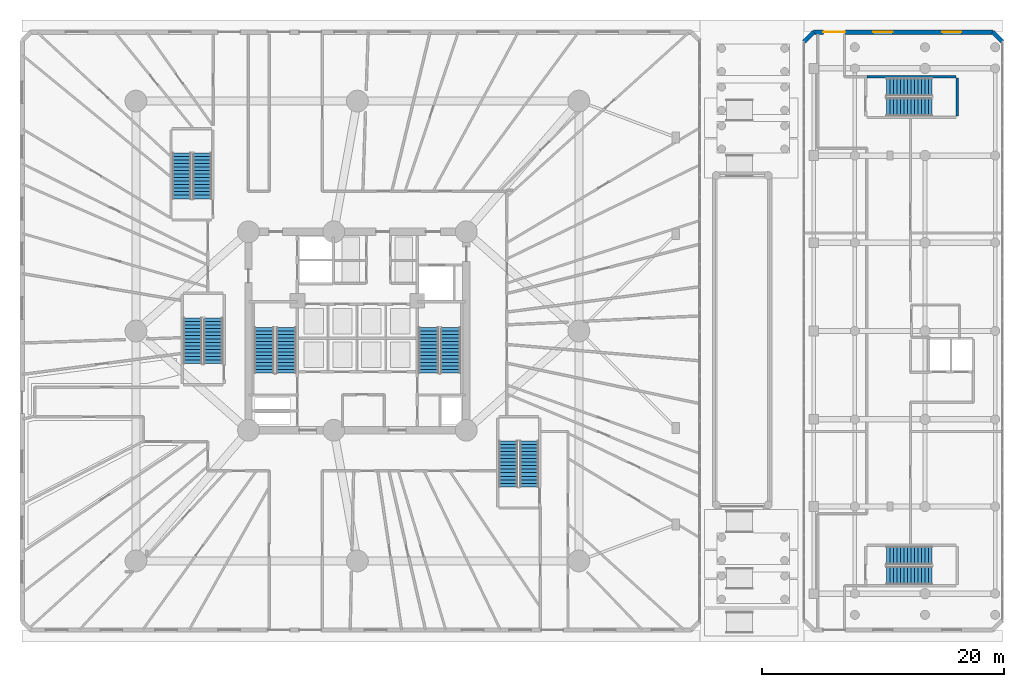
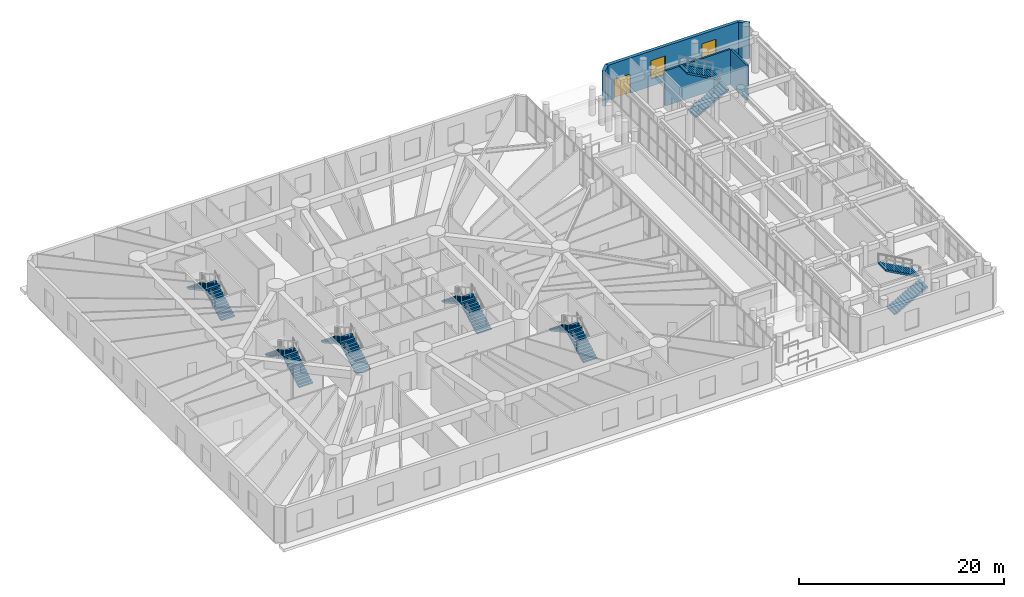
# One storey, part 21 of 30: 14 stair flights, 5 walls, 2 windows, 1 door, 3 openings, 7 elements without a shape of their own.
"""IFC4 building model written with IfcOpenShell, lengths in metres."""

from ifc_helpers import new_model, si_unit, direction, frame, frame_2d, origin, origin_with_axes, place, context, subcontext, project, spatial, polyline, rectangle, outline, extrude, source, transform, mapped, material, layer, layer_set, type_object, element, fill, aggregate, save


model = new_model("IFC4")

# Units and contexts
model_context = context("Model", 3, precision=1e-05, world=origin(), true_north=direction((0.0, 1.0)))
body_context = subcontext(model_context, "Body", "Model", "MODEL_VIEW")
ifc_project = project(units=[si_unit("LENGTHUNIT", "METRE"), si_unit("AREAUNIT", "SQUARE_METRE"), si_unit("VOLUMEUNIT", "CUBIC_METRE"), si_unit("PLANEANGLEUNIT", "RADIAN"), si_unit("MASSUNIT", "GRAM", prefix="KILO")], contexts=[model_context])

# Site, building, storey
site_placement = place(None, origin())
site = spatial("IfcSite", under=ifc_project, at=site_placement, CompositionType="ELEMENT")
building_placement = place(site_placement, origin())
building = spatial("IfcBuilding", under=site, at=building_placement, Name="Karkom Vertical University and Central Library", CompositionType="ELEMENT")
storey_placement = place(building_placement, origin())
storey = spatial("IfcBuildingStorey", under=building, at=storey_placement, Name="L00", CompositionType="ELEMENT", Elevation=0.0)

# Wall
ifc_material_1 = material(Name="Brick masonry 360mm insulated cavity", Category="masonry")
ifc_layer_1 = layer(ifc_material_1, 0.360107421875)
ifc_layer_set_1 = layer_set([ifc_layer_1], Name="Brick masonry 360mm insulated cavity")
wall_type_1 = type_object("IfcWallType", Name="ENV-WL-BRK-360", PredefinedType="SOLIDWALL", material=ifc_layer_set_1)
wall_1_placement = place(storey_placement, frame((81.800048828125, 50.39990234375, 0.0), z_axis=(0.0, 0.0, 1.0), x_axis=(-0.707106781187, 0.707106781187, 0.0)))
element("IfcWall", 1, at=wall_1_placement, inside=storey, type_object=wall_type_1, Name="Level 00 LIB Terracotta Brick Facade Wall 04", PredefinedType="SOLIDWALL", context=body_context, shape_type="SweptSolid", body=[
    extrude(rectangle(XDim=1.13134765625, YDim=0.360107421875, at=frame_2d((0.565673828125, 0.0))), origin(), (0.0, 0.0, 1.0), 4.199951171875),
])

# Wall, openings, door, windows
wall_2_placement = place(storey_placement, frame((66.199951171875, 51.199951171875, 0.0), z_axis=(0.0, 0.0, 1.0), x_axis=(1.0, 0.0, 0.0)))
wall_2 = element("IfcWall", 2, at=wall_2_placement, inside=storey, type_object=wall_type_1, Name="Level 00 LIB Terracotta Brick Facade Wall 05", PredefinedType="SOLIDWALL", context=body_context, shape_type="SweptSolid", body=[
    extrude(rectangle(XDim=14.800048828125, YDim=0.360107421875, at=frame_2d((7.39990234375, 0.0))), origin(), (0.0, 0.0, 1.0), 4.199951171875),
])
opening_1_placement = place(wall_2_placement, frame((10.60498046875, 0.0, 0.85009765625)))
opening_1 = element("IfcOpeningElement", 3, at=opening_1_placement, cuts=wall_2, Name="Opening WN-02", PredefinedType="OPENING", context=body_context, shape_type="SweptSolid", body=[
    extrude(rectangle(XDim=1.60009765625, YDim=2.199951171875, at=frame_2d((0.800048828125, 1.10009765625))), frame((0.0, 0.18994140625, 0.0), z_axis=(0.0, -1.0, 0.0), x_axis=(1.0, 0.0, 0.0)), (0.0, 0.0, 1.0), 0.380126953125),
])
opening_2_placement = place(wall_2_placement, frame((4.9150390625, 0.0, 0.85009765625)))
opening_2 = element("IfcOpeningElement", 4, at=opening_2_placement, cuts=wall_2, Name="Opening WN-02", PredefinedType="OPENING", context=body_context, shape_type="SweptSolid", body=[
    extrude(rectangle(XDim=1.60009765625, YDim=2.199951171875, at=frame_2d((0.800048828125, 1.10009765625))), frame((0.0, 0.18994140625, 0.0), z_axis=(0.0, -1.0, 0.0), x_axis=(1.0, 0.0, 0.0)), (0.0, 0.0, 1.0), 0.380126953125),
])
opening_3_placement = place(wall_2_placement, frame((0.800048828125, 0.0, 0.0)))
opening_3 = element("IfcOpeningElement", 5, at=opening_3_placement, cuts=wall_2, Name="Opening ED-1", PredefinedType="OPENING", context=body_context, shape_type="SweptSolid", body=[
    extrude(rectangle(XDim=1.800048828125, YDim=2.300048828125, at=frame_2d((0.89990234375, 1.14990234375))), frame((0.0, 0.18994140625, 0.0), z_axis=(0.0, -1.0, 0.0), x_axis=(1.0, 0.0, 0.0)), (0.0, 0.0, 1.0), 0.380126953125),
])
ifc_material_2 = material(Name="Thermally broken glazed steel exit door", Category="steel")
door_type = type_object("IfcDoorType", Name="ENV-DR-ED1", OperationType="DOUBLE_DOOR_SINGLE_SWING", PredefinedType="DOOR", material=ifc_material_2)
shared_shape_1 = source(origin_with_axes(), body_context, "Body", "SweptSolid", [
    extrude(rectangle(XDim=1.800048828125, YDim=2.300048828125, at=frame_2d((0.89990234375, 1.14990234375))), frame((0.0, 0.02490234375, 0.0), z_axis=(0.0, -1.0, 0.0), x_axis=(1.0, 0.0, 0.0)), (0.0, 0.0, 1.0), 0.050048828125),
])
door_placement = place(opening_3_placement, origin())
door = element("IfcDoor", 6, at=door_placement, inside=storey, type_object=door_type, Name="Level 00 Final Ground Exit Door LIB-ED2", OperationType="DOUBLE_DOOR_SINGLE_SWING", OverallHeight=2.300048828125, OverallWidth=1.800048828125, PredefinedType="DOOR", context=body_context, shape_type="MappedRepresentation", body=[
    mapped(shared_shape_1, transform((0.0, 0.0, 0.0), scale=1.0)),
])
fill(opening_3, door)
ifc_material_3 = material(Name="Aluminium thermal-break frame with solar-control IGU", Category="aluminium")
window_type = type_object("IfcWindowType", Name="ENV-WIN-WN-02", PartitioningType="SINGLE_PANEL", PredefinedType="WINDOW", material=ifc_material_3)
shared_shape_2 = source(origin_with_axes(), body_context, "Body", "SweptSolid", [
    extrude(rectangle(XDim=1.60009765625, YDim=2.199951171875, at=frame_2d((0.800048828125, 1.10009765625))), frame((0.0, 0.030029296875, 0.0), z_axis=(0.0, -1.0, 0.0), x_axis=(1.0, 0.0, 0.0)), (0.0, 0.0, 1.0), 0.06005859375),
])
window_1_placement = place(opening_1_placement, origin())
window_1 = element("IfcWindow", 7, at=window_1_placement, inside=storey, type_object=window_type, Name="Level 00 LIB Punched Window 01", OverallHeight=2.199951171875, OverallWidth=1.60009765625, PartitioningType="SINGLE_PANEL", PredefinedType="WINDOW", context=body_context, shape_type="MappedRepresentation", body=[
    mapped(shared_shape_2, transform((0.0, 0.0, 0.0), scale=1.0)),
])
fill(opening_1, window_1)
window_2_placement = place(opening_2_placement, origin())
window_2 = element("IfcWindow", 8, at=window_2_placement, inside=storey, type_object=window_type, Name="Level 00 LIB Punched Window 02", OverallHeight=2.199951171875, OverallWidth=1.60009765625, PartitioningType="SINGLE_PANEL", PredefinedType="WINDOW", context=body_context, shape_type="MappedRepresentation", body=[
    mapped(shared_shape_2, transform((0.0, 0.0, 0.0), scale=1.0)),
])
fill(opening_2, window_2)

# Walls
wall_3_placement = place(storey_placement, frame((66.199951171875, 51.199951171875, 0.0), z_axis=(0.0, 0.0, 1.0), x_axis=(-0.707106781187, -0.707106781187, 0.0)))
element("IfcWall", 9, at=wall_3_placement, inside=storey, type_object=wall_type_1, Name="Level 00 LIB Terracotta Brick Facade Wall 06", PredefinedType="SOLIDWALL", context=body_context, shape_type="SweptSolid", body=[
    extrude(rectangle(XDim=1.13134765625, YDim=0.360107421875, at=frame_2d((0.565673828125, 0.0))), origin(), (0.0, 0.0, 1.0), 4.199951171875),
])
ifc_material_4 = material(Name="Concrete C45/55", Category="concrete")
ifc_layer_2 = layer(ifc_material_4, 0.199951171875)
ifc_layer_set_2 = layer_set([ifc_layer_2], Name="Concrete C45/55")
wall_type_2 = type_object("IfcWallType", Name="STR-WL-ST-200", PredefinedType="SHEAR", material=ifc_layer_set_2)
wall_4_placement = place(storey_placement, frame((70.60009765625, 47.514892578125, 0.0), z_axis=(0.0, 0.0, 1.0), x_axis=(1.0, 0.0, 0.0)))
element("IfcWall", 10, at=wall_4_placement, inside=storey, type_object=wall_type_2, Name="Level 00 Core Shaft Wall L00-W-LST2-N", PredefinedType="SHEAR", context=body_context, shape_type="SweptSolid", body=[
    extrude(rectangle(XDim=7.349853515625, YDim=0.199951171875, at=frame_2d((3.6748046875, 0.0))), origin(), (0.0, 0.0, 1.0), 4.199951171875),
])
wall_5_placement = place(storey_placement, frame((78.054931640625, 44.25, 0.0), z_axis=(0.0, 0.0, 1.0), x_axis=(0.0, 1.0, 0.0)))
element("IfcWall", 11, at=wall_5_placement, inside=storey, type_object=wall_type_2, Name="Level 00 Core Shaft Wall L00-W-LST2-E", PredefinedType="SHEAR", context=body_context, shape_type="SweptSolid", body=[
    extrude(rectangle(XDim=3.159912109375, YDim=0.199951171875, at=frame_2d((1.580078125, 0.0))), origin(), (0.0, 0.0, 1.0), 4.199951171875),
])

# Stair, stair flights
stair_type_1 = type_object("IfcStairType", Name="INT-STR-ST-LIB", PredefinedType="HALF_TURN_STAIR", material=ifc_material_4)
stair_1_placement = place(storey_placement, origin())
stair_1 = element("IfcStair", 12, at=stair_1_placement, inside=storey, type_object=stair_type_1, Name="Level 00 Central Library South Exit Stair LIB-ST1", PredefinedType="HALF_TURN_STAIR")
stair_flight_type_1 = type_object("IfcStairFlightType", Name="INT-SFL-ST-LIB", PredefinedType="STRAIGHT", material=ifc_material_4)
stair_flight_1_placement = place(storey_placement, frame((72.199951171875, 6.300048828125, 0.0), z_axis=(0.0, 0.0, 1.0), x_axis=(1.0, 0.0, 0.0)))
stair_flight_1 = element("IfcStairFlight", 13, at=stair_flight_1_placement, type_object=stair_flight_type_1, Name="LIB-ST1 flight 1", NumberOfRisers=14, NumberOfTreads=13, PredefinedType="STRAIGHT", RiserHeight=0.160714286, TreadLength=0.29, context=body_context, shape_type="SweptSolid", body=[
    extrude(outline(polyline([(0.0, 0.0), (0.0, 0.16064453125), (0.2900390625, 0.16064453125), (0.2900390625, 0.321533203125), (0.580078125, 0.321533203125), (0.580078125, 0.482177734375), (0.8701171875, 0.482177734375), (0.8701171875, 0.642822265625), (1.159912109375, 0.642822265625), (1.159912109375, 0.803466796875), (1.449951171875, 0.803466796875), (1.449951171875, 0.96435546875), (1.739990234375, 0.96435546875), (1.739990234375, 1.125), (2.030029296875, 1.125), (2.030029296875, 1.28564453125), (2.320068359375, 1.28564453125), (2.320068359375, 1.446533203125), (2.610107421875, 1.446533203125), (2.610107421875, 1.607177734375), (2.89990234375, 1.607177734375), (2.89990234375, 1.767822265625), (3.18994140625, 1.767822265625), (3.18994140625, 1.928466796875), (3.47998046875, 1.928466796875), (3.47998046875, 2.08935546875), (3.77001953125, 2.08935546875), (3.77001953125, 2.25), (3.77001953125, 1.91796875), (0.309326171875, 0.0), (0.0, 0.0)])), frame((0.0, 0.75, 0.0), z_axis=(0.0, -1.0, 0.0), x_axis=(1.0, 0.0, 0.0)), (0.0, 0.0, 1.0), 1.5),
])
stair_flight_2_placement = place(storey_placement, frame((75.969970703125, 7.9599609375, 2.25), z_axis=(0.0, 0.0, 1.0), x_axis=(-1.0, 0.0, 0.0)))
stair_flight_2 = element("IfcStairFlight", 14, at=stair_flight_2_placement, type_object=stair_flight_type_1, Name="LIB-ST1 flight 2", NumberOfRisers=14, NumberOfTreads=13, PredefinedType="STRAIGHT", RiserHeight=0.160714286, TreadLength=0.29, context=body_context, shape_type="SweptSolid", body=[
    extrude(outline(polyline([(0.0, 0.0), (0.0, 0.16064453125), (0.2900390625, 0.16064453125), (0.2900390625, 0.321533203125), (0.580078125, 0.321533203125), (0.580078125, 0.482177734375), (0.8701171875, 0.482177734375), (0.8701171875, 0.642822265625), (1.159912109375, 0.642822265625), (1.159912109375, 0.803466796875), (1.449951171875, 0.803466796875), (1.449951171875, 0.96435546875), (1.739990234375, 0.96435546875), (1.739990234375, 1.125), (2.030029296875, 1.125), (2.030029296875, 1.28564453125), (2.320068359375, 1.28564453125), (2.320068359375, 1.446533203125), (2.610107421875, 1.446533203125), (2.610107421875, 1.607177734375), (2.89990234375, 1.607177734375), (2.89990234375, 1.767822265625), (3.18994140625, 1.767822265625), (3.18994140625, 1.928466796875), (3.47998046875, 1.928466796875), (3.47998046875, 2.08935546875), (3.77001953125, 2.08935546875), (3.77001953125, 2.25), (3.77001953125, 1.91796875), (0.309326171875, 0.0), (0.0, 0.0)])), frame((0.0, 0.75, 0.0), z_axis=(0.0, -1.0, 0.0), x_axis=(1.0, 0.0, 0.0)), (0.0, 0.0, 1.0), 1.5),
])
aggregate(stair_1, [stair_flight_1, stair_flight_2])

stair_2_placement = place(storey_placement, origin())
stair_2 = element("IfcStair", 15, at=stair_2_placement, inside=storey, type_object=stair_type_1, Name="Level 00 Central Library North Exit Stair LIB-ST2", PredefinedType="HALF_TURN_STAIR")
stair_flight_3_placement = place(storey_placement, frame((72.199951171875, 45.0, 0.0), z_axis=(0.0, 0.0, 1.0), x_axis=(1.0, 0.0, 0.0)))
stair_flight_3 = element("IfcStairFlight", 16, at=stair_flight_3_placement, type_object=stair_flight_type_1, Name="LIB-ST2 flight 1", NumberOfRisers=14, NumberOfTreads=13, PredefinedType="STRAIGHT", RiserHeight=0.160714286, TreadLength=0.29, context=body_context, shape_type="SweptSolid", body=[
    extrude(outline(polyline([(0.0, 0.0), (0.0, 0.16064453125), (0.2900390625, 0.16064453125), (0.2900390625, 0.321533203125), (0.580078125, 0.321533203125), (0.580078125, 0.482177734375), (0.8701171875, 0.482177734375), (0.8701171875, 0.642822265625), (1.159912109375, 0.642822265625), (1.159912109375, 0.803466796875), (1.449951171875, 0.803466796875), (1.449951171875, 0.96435546875), (1.739990234375, 0.96435546875), (1.739990234375, 1.125), (2.030029296875, 1.125), (2.030029296875, 1.28564453125), (2.320068359375, 1.28564453125), (2.320068359375, 1.446533203125), (2.610107421875, 1.446533203125), (2.610107421875, 1.607177734375), (2.89990234375, 1.607177734375), (2.89990234375, 1.767822265625), (3.18994140625, 1.767822265625), (3.18994140625, 1.928466796875), (3.47998046875, 1.928466796875), (3.47998046875, 2.08935546875), (3.77001953125, 2.08935546875), (3.77001953125, 2.25), (3.77001953125, 1.91796875), (0.309326171875, 0.0), (0.0, 0.0)])), frame((0.0, 0.75, 0.0), z_axis=(0.0, -1.0, 0.0), x_axis=(1.0, 0.0, 0.0)), (0.0, 0.0, 1.0), 1.5),
])
stair_flight_4_placement = place(storey_placement, frame((75.969970703125, 46.659912109375, 2.25), z_axis=(0.0, 0.0, 1.0), x_axis=(-1.0, 0.0, 0.0)))
stair_flight_4 = element("IfcStairFlight", 17, at=stair_flight_4_placement, type_object=stair_flight_type_1, Name="LIB-ST2 flight 2", NumberOfRisers=14, NumberOfTreads=13, PredefinedType="STRAIGHT", RiserHeight=0.160714286, TreadLength=0.29, context=body_context, shape_type="SweptSolid", body=[
    extrude(outline(polyline([(0.0, 0.0), (0.0, 0.16064453125), (0.2900390625, 0.16064453125), (0.2900390625, 0.321533203125), (0.580078125, 0.321533203125), (0.580078125, 0.482177734375), (0.8701171875, 0.482177734375), (0.8701171875, 0.642822265625), (1.159912109375, 0.642822265625), (1.159912109375, 0.803466796875), (1.449951171875, 0.803466796875), (1.449951171875, 0.96435546875), (1.739990234375, 0.96435546875), (1.739990234375, 1.125), (2.030029296875, 1.125), (2.030029296875, 1.28564453125), (2.320068359375, 1.28564453125), (2.320068359375, 1.446533203125), (2.610107421875, 1.446533203125), (2.610107421875, 1.607177734375), (2.89990234375, 1.607177734375), (2.89990234375, 1.767822265625), (3.18994140625, 1.767822265625), (3.18994140625, 1.928466796875), (3.47998046875, 1.928466796875), (3.47998046875, 2.08935546875), (3.77001953125, 2.08935546875), (3.77001953125, 2.25), (3.77001953125, 1.91796875), (0.309326171875, 0.0), (0.0, 0.0)])), frame((0.0, 0.75, 0.0), z_axis=(0.0, -1.0, 0.0), x_axis=(1.0, 0.0, 0.0)), (0.0, 0.0, 1.0), 1.5),
])
aggregate(stair_2, [stair_flight_3, stair_flight_4])

stair_type_2 = type_object("IfcStairType", Name="INT-STR-ST-MAIN", PredefinedType="HALF_TURN_STAIR", material=ifc_material_4)
stair_3_placement = place(storey_placement, origin())
stair_3 = element("IfcStair", 18, at=stair_3_placement, inside=storey, type_object=stair_type_2, Name="Level 00 Tower Protected Exit Stair ST-1", PredefinedType="HALF_TURN_STAIR")
stair_flight_type_2 = type_object("IfcStairFlightType", Name="INT-SFL-ST-MAIN", PredefinedType="STRAIGHT", material=ifc_material_4)
stair_flight_5_placement = place(storey_placement, frame((22.614990234375, 23.02001953125, 0.0), z_axis=(0.0, 0.0, 1.0), x_axis=(0.0, 1.0, 0.0)))
stair_flight_5 = element("IfcStairFlight", 19, at=stair_flight_5_placement, type_object=stair_flight_type_2, Name="ST-1 flight 1", NumberOfRisers=14, NumberOfTreads=13, PredefinedType="STRAIGHT", RiserHeight=0.160714286, TreadLength=0.29, context=body_context, shape_type="SweptSolid", body=[
    extrude(outline(polyline([(0.0, 0.0), (0.0, 0.16064453125), (0.2900390625, 0.16064453125), (0.2900390625, 0.321533203125), (0.580078125, 0.321533203125), (0.580078125, 0.482177734375), (0.8701171875, 0.482177734375), (0.8701171875, 0.642822265625), (1.159912109375, 0.642822265625), (1.159912109375, 0.803466796875), (1.449951171875, 0.803466796875), (1.449951171875, 0.96435546875), (1.739990234375, 0.96435546875), (1.739990234375, 1.125), (2.030029296875, 1.125), (2.030029296875, 1.28564453125), (2.320068359375, 1.28564453125), (2.320068359375, 1.446533203125), (2.610107421875, 1.446533203125), (2.610107421875, 1.607177734375), (2.89990234375, 1.607177734375), (2.89990234375, 1.767822265625), (3.18994140625, 1.767822265625), (3.18994140625, 1.928466796875), (3.47998046875, 1.928466796875), (3.47998046875, 2.08935546875), (3.77001953125, 2.08935546875), (3.77001953125, 2.25), (3.77001953125, 1.91796875), (0.309326171875, 0.0), (0.0, 0.0)])), frame((0.0, 0.824951171875, 0.0), z_axis=(0.0, -1.0, 0.0), x_axis=(1.0, 0.0, 0.0)), (0.0, 0.0, 1.0), 1.64990234375),
])
stair_flight_6_placement = place(storey_placement, frame((20.804931640625, 26.7900390625, 2.25), z_axis=(0.0, 0.0, 1.0), x_axis=(0.0, -1.0, 0.0)))
stair_flight_6 = element("IfcStairFlight", 20, at=stair_flight_6_placement, type_object=stair_flight_type_2, Name="ST-1 flight 2", NumberOfRisers=14, NumberOfTreads=13, PredefinedType="STRAIGHT", RiserHeight=0.160714286, TreadLength=0.29, context=body_context, shape_type="SweptSolid", body=[
    extrude(outline(polyline([(0.0, 0.0), (0.0, 0.16064453125), (0.2900390625, 0.16064453125), (0.2900390625, 0.321533203125), (0.580078125, 0.321533203125), (0.580078125, 0.482177734375), (0.8701171875, 0.482177734375), (0.8701171875, 0.642822265625), (1.159912109375, 0.642822265625), (1.159912109375, 0.803466796875), (1.449951171875, 0.803466796875), (1.449951171875, 0.96435546875), (1.739990234375, 0.96435546875), (1.739990234375, 1.125), (2.030029296875, 1.125), (2.030029296875, 1.28564453125), (2.320068359375, 1.28564453125), (2.320068359375, 1.446533203125), (2.610107421875, 1.446533203125), (2.610107421875, 1.607177734375), (2.89990234375, 1.607177734375), (2.89990234375, 1.767822265625), (3.18994140625, 1.767822265625), (3.18994140625, 1.928466796875), (3.47998046875, 1.928466796875), (3.47998046875, 2.08935546875), (3.77001953125, 2.08935546875), (3.77001953125, 2.25), (3.77001953125, 1.91796875), (0.309326171875, 0.0), (0.0, 0.0)])), frame((0.0, 0.824951171875, 0.0), z_axis=(0.0, -1.0, 0.0), x_axis=(1.0, 0.0, 0.0)), (0.0, 0.0, 1.0), 1.64990234375),
])
aggregate(stair_3, [stair_flight_5, stair_flight_6])

stair_4_placement = place(storey_placement, origin())
stair_4 = element("IfcStair", 21, at=stair_4_placement, inside=storey, type_object=stair_type_2, Name="Level 00 Tower Protected Exit Stair ST-2", PredefinedType="HALF_TURN_STAIR")
stair_flight_7_placement = place(storey_placement, frame((36.195068359375, 23.02001953125, 0.0), z_axis=(0.0, 0.0, 1.0), x_axis=(0.0, 1.0, 0.0)))
stair_flight_7 = element("IfcStairFlight", 22, at=stair_flight_7_placement, type_object=stair_flight_type_2, Name="ST-2 flight 1", NumberOfRisers=14, NumberOfTreads=13, PredefinedType="STRAIGHT", RiserHeight=0.160714286, TreadLength=0.29, context=body_context, shape_type="SweptSolid", body=[
    extrude(outline(polyline([(0.0, 0.0), (0.0, 0.16064453125), (0.2900390625, 0.16064453125), (0.2900390625, 0.321533203125), (0.580078125, 0.321533203125), (0.580078125, 0.482177734375), (0.8701171875, 0.482177734375), (0.8701171875, 0.642822265625), (1.159912109375, 0.642822265625), (1.159912109375, 0.803466796875), (1.449951171875, 0.803466796875), (1.449951171875, 0.96435546875), (1.739990234375, 0.96435546875), (1.739990234375, 1.125), (2.030029296875, 1.125), (2.030029296875, 1.28564453125), (2.320068359375, 1.28564453125), (2.320068359375, 1.446533203125), (2.610107421875, 1.446533203125), (2.610107421875, 1.607177734375), (2.89990234375, 1.607177734375), (2.89990234375, 1.767822265625), (3.18994140625, 1.767822265625), (3.18994140625, 1.928466796875), (3.47998046875, 1.928466796875), (3.47998046875, 2.08935546875), (3.77001953125, 2.08935546875), (3.77001953125, 2.25), (3.77001953125, 1.91796875), (0.309326171875, 0.0), (0.0, 0.0)])), frame((0.0, 0.824951171875, 0.0), z_axis=(0.0, -1.0, 0.0), x_axis=(1.0, 0.0, 0.0)), (0.0, 0.0, 1.0), 1.64990234375),
])
stair_flight_8_placement = place(storey_placement, frame((34.385009765625, 26.7900390625, 2.25), z_axis=(0.0, 0.0, 1.0), x_axis=(0.0, -1.0, 0.0)))
stair_flight_8 = element("IfcStairFlight", 23, at=stair_flight_8_placement, type_object=stair_flight_type_2, Name="ST-2 flight 2", NumberOfRisers=14, NumberOfTreads=13, PredefinedType="STRAIGHT", RiserHeight=0.160714286, TreadLength=0.29, context=body_context, shape_type="SweptSolid", body=[
    extrude(outline(polyline([(0.0, 0.0), (0.0, 0.16064453125), (0.2900390625, 0.16064453125), (0.2900390625, 0.321533203125), (0.580078125, 0.321533203125), (0.580078125, 0.482177734375), (0.8701171875, 0.482177734375), (0.8701171875, 0.642822265625), (1.159912109375, 0.642822265625), (1.159912109375, 0.803466796875), (1.449951171875, 0.803466796875), (1.449951171875, 0.96435546875), (1.739990234375, 0.96435546875), (1.739990234375, 1.125), (2.030029296875, 1.125), (2.030029296875, 1.28564453125), (2.320068359375, 1.28564453125), (2.320068359375, 1.446533203125), (2.610107421875, 1.446533203125), (2.610107421875, 1.607177734375), (2.89990234375, 1.607177734375), (2.89990234375, 1.767822265625), (3.18994140625, 1.767822265625), (3.18994140625, 1.928466796875), (3.47998046875, 1.928466796875), (3.47998046875, 2.08935546875), (3.77001953125, 2.08935546875), (3.77001953125, 2.25), (3.77001953125, 1.91796875), (0.309326171875, 0.0), (0.0, 0.0)])), frame((0.0, 0.824951171875, 0.0), z_axis=(0.0, -1.0, 0.0), x_axis=(1.0, 0.0, 0.0)), (0.0, 0.0, 1.0), 1.64990234375),
])
aggregate(stair_4, [stair_flight_7, stair_flight_8])

stair_type_3 = type_object("IfcStairType", Name="INT-STR-ST-SEC", PredefinedType="HALF_TURN_STAIR", material=ifc_material_4)
stair_5_placement = place(storey_placement, origin())
stair_5 = element("IfcStair", 24, at=stair_5_placement, inside=storey, type_object=stair_type_3, Name="Level 00 Academic Zone Protected Exit Stair ST-3", PredefinedType="HALF_TURN_STAIR")
stair_flight_type_3 = type_object("IfcStairFlightType", Name="INT-SFL-ST-SEC", PredefinedType="STRAIGHT", material=ifc_material_4)
stair_flight_9_placement = place(storey_placement, frame((16.60498046875, 23.800048828125, 0.0), z_axis=(0.0, 0.0, 1.0), x_axis=(0.0, 1.0, 0.0)))
stair_flight_9 = element("IfcStairFlight", 25, at=stair_flight_9_placement, type_object=stair_flight_type_3, Name="ST-3 flight 1", NumberOfRisers=14, NumberOfTreads=13, PredefinedType="STRAIGHT", RiserHeight=0.160714286, TreadLength=0.29, context=body_context, shape_type="SweptSolid", body=[
    extrude(outline(polyline([(0.0, 0.0), (0.0, 0.16064453125), (0.2900390625, 0.16064453125), (0.2900390625, 0.321533203125), (0.580078125, 0.321533203125), (0.580078125, 0.482177734375), (0.8701171875, 0.482177734375), (0.8701171875, 0.642822265625), (1.159912109375, 0.642822265625), (1.159912109375, 0.803466796875), (1.449951171875, 0.803466796875), (1.449951171875, 0.96435546875), (1.739990234375, 0.96435546875), (1.739990234375, 1.125), (2.030029296875, 1.125), (2.030029296875, 1.28564453125), (2.320068359375, 1.28564453125), (2.320068359375, 1.446533203125), (2.610107421875, 1.446533203125), (2.610107421875, 1.607177734375), (2.89990234375, 1.607177734375), (2.89990234375, 1.767822265625), (3.18994140625, 1.767822265625), (3.18994140625, 1.928466796875), (3.47998046875, 1.928466796875), (3.47998046875, 2.08935546875), (3.77001953125, 2.08935546875), (3.77001953125, 2.25), (3.77001953125, 1.91796875), (0.309326171875, 0.0), (0.0, 0.0)])), frame((0.0, 0.77490234375, 0.0), z_axis=(0.0, -1.0, 0.0), x_axis=(1.0, 0.0, 0.0)), (0.0, 0.0, 1.0), 1.550048828125),
])
stair_flight_10_placement = place(storey_placement, frame((14.89501953125, 27.570068359375, 2.25), z_axis=(0.0, 0.0, 1.0), x_axis=(0.0, -1.0, 0.0)))
stair_flight_10 = element("IfcStairFlight", 26, at=stair_flight_10_placement, type_object=stair_flight_type_3, Name="ST-3 flight 2", NumberOfRisers=14, NumberOfTreads=13, PredefinedType="STRAIGHT", RiserHeight=0.160714286, TreadLength=0.29, context=body_context, shape_type="SweptSolid", body=[
    extrude(outline(polyline([(0.0, 0.0), (0.0, 0.16064453125), (0.2900390625, 0.16064453125), (0.2900390625, 0.321533203125), (0.580078125, 0.321533203125), (0.580078125, 0.482177734375), (0.8701171875, 0.482177734375), (0.8701171875, 0.642822265625), (1.159912109375, 0.642822265625), (1.159912109375, 0.803466796875), (1.449951171875, 0.803466796875), (1.449951171875, 0.96435546875), (1.739990234375, 0.96435546875), (1.739990234375, 1.125), (2.030029296875, 1.125), (2.030029296875, 1.28564453125), (2.320068359375, 1.28564453125), (2.320068359375, 1.446533203125), (2.610107421875, 1.446533203125), (2.610107421875, 1.607177734375), (2.89990234375, 1.607177734375), (2.89990234375, 1.767822265625), (3.18994140625, 1.767822265625), (3.18994140625, 1.928466796875), (3.47998046875, 1.928466796875), (3.47998046875, 2.08935546875), (3.77001953125, 2.08935546875), (3.77001953125, 2.25), (3.77001953125, 1.91796875), (0.309326171875, 0.0), (0.0, 0.0)])), frame((0.0, 0.77490234375, 0.0), z_axis=(0.0, -1.0, 0.0), x_axis=(1.0, 0.0, 0.0)), (0.0, 0.0, 1.0), 1.550048828125),
])
aggregate(stair_5, [stair_flight_9, stair_flight_10])

stair_6_placement = place(storey_placement, origin())
stair_6 = element("IfcStair", 27, at=stair_6_placement, inside=storey, type_object=stair_type_3, Name="Level 00 Podium Terraced Feature Stair POD-ST1", PredefinedType="HALF_TURN_STAIR")
stair_flight_11_placement = place(storey_placement, frame((42.68505859375, 13.6298828125, 0.0), z_axis=(0.0, 0.0, 1.0), x_axis=(0.0, 1.0, 0.0)))
stair_flight_11 = element("IfcStairFlight", 28, at=stair_flight_11_placement, type_object=stair_flight_type_3, Name="POD-ST1 flight 1", NumberOfRisers=14, NumberOfTreads=13, PredefinedType="STRAIGHT", RiserHeight=0.160714286, TreadLength=0.29, context=body_context, shape_type="SweptSolid", body=[
    extrude(outline(polyline([(0.0, 0.0), (0.0, 0.16064453125), (0.2900390625, 0.16064453125), (0.2900390625, 0.321533203125), (0.580078125, 0.321533203125), (0.580078125, 0.482177734375), (0.8701171875, 0.482177734375), (0.8701171875, 0.642822265625), (1.159912109375, 0.642822265625), (1.159912109375, 0.803466796875), (1.449951171875, 0.803466796875), (1.449951171875, 0.96435546875), (1.739990234375, 0.96435546875), (1.739990234375, 1.125), (2.030029296875, 1.125), (2.030029296875, 1.28564453125), (2.320068359375, 1.28564453125), (2.320068359375, 1.446533203125), (2.610107421875, 1.446533203125), (2.610107421875, 1.607177734375), (2.89990234375, 1.607177734375), (2.89990234375, 1.767822265625), (3.18994140625, 1.767822265625), (3.18994140625, 1.928466796875), (3.47998046875, 1.928466796875), (3.47998046875, 2.08935546875), (3.77001953125, 2.08935546875), (3.77001953125, 2.25), (3.77001953125, 1.91796875), (0.309326171875, 0.0), (0.0, 0.0)])), frame((0.0, 0.77490234375, 0.0), z_axis=(0.0, -1.0, 0.0), x_axis=(1.0, 0.0, 0.0)), (0.0, 0.0, 1.0), 1.550048828125),
])
stair_flight_12_placement = place(storey_placement, frame((40.97509765625, 17.39990234375, 2.25), z_axis=(0.0, 0.0, 1.0), x_axis=(0.0, -1.0, 0.0)))
stair_flight_12 = element("IfcStairFlight", 29, at=stair_flight_12_placement, type_object=stair_flight_type_3, Name="POD-ST1 flight 2", NumberOfRisers=14, NumberOfTreads=13, PredefinedType="STRAIGHT", RiserHeight=0.160714286, TreadLength=0.29, context=body_context, shape_type="SweptSolid", body=[
    extrude(outline(polyline([(0.0, 0.0), (0.0, 0.16064453125), (0.2900390625, 0.16064453125), (0.2900390625, 0.321533203125), (0.580078125, 0.321533203125), (0.580078125, 0.482177734375), (0.8701171875, 0.482177734375), (0.8701171875, 0.642822265625), (1.159912109375, 0.642822265625), (1.159912109375, 0.803466796875), (1.449951171875, 0.803466796875), (1.449951171875, 0.96435546875), (1.739990234375, 0.96435546875), (1.739990234375, 1.125), (2.030029296875, 1.125), (2.030029296875, 1.28564453125), (2.320068359375, 1.28564453125), (2.320068359375, 1.446533203125), (2.610107421875, 1.446533203125), (2.610107421875, 1.607177734375), (2.89990234375, 1.607177734375), (2.89990234375, 1.767822265625), (3.18994140625, 1.767822265625), (3.18994140625, 1.928466796875), (3.47998046875, 1.928466796875), (3.47998046875, 2.08935546875), (3.77001953125, 2.08935546875), (3.77001953125, 2.25), (3.77001953125, 1.91796875), (0.309326171875, 0.0), (0.0, 0.0)])), frame((0.0, 0.77490234375, 0.0), z_axis=(0.0, -1.0, 0.0), x_axis=(1.0, 0.0, 0.0)), (0.0, 0.0, 1.0), 1.550048828125),
])
aggregate(stair_6, [stair_flight_11, stair_flight_12])

stair_7_placement = place(storey_placement, origin())
stair_7 = element("IfcStair", 30, at=stair_7_placement, inside=storey, type_object=stair_type_3, Name="Level 00 Podium Gallery Stair POD-ST2", PredefinedType="HALF_TURN_STAIR")
stair_flight_13_placement = place(storey_placement, frame((15.68505859375, 37.429931640625, 0.0), z_axis=(0.0, 0.0, 1.0), x_axis=(0.0, 1.0, 0.0)))
stair_flight_13 = element("IfcStairFlight", 31, at=stair_flight_13_placement, type_object=stair_flight_type_3, Name="POD-ST2 flight 1", NumberOfRisers=14, NumberOfTreads=13, PredefinedType="STRAIGHT", RiserHeight=0.160714286, TreadLength=0.29, context=body_context, shape_type="SweptSolid", body=[
    extrude(outline(polyline([(0.0, 0.0), (0.0, 0.16064453125), (0.2900390625, 0.16064453125), (0.2900390625, 0.321533203125), (0.580078125, 0.321533203125), (0.580078125, 0.482177734375), (0.8701171875, 0.482177734375), (0.8701171875, 0.642822265625), (1.159912109375, 0.642822265625), (1.159912109375, 0.803466796875), (1.449951171875, 0.803466796875), (1.449951171875, 0.96435546875), (1.739990234375, 0.96435546875), (1.739990234375, 1.125), (2.030029296875, 1.125), (2.030029296875, 1.28564453125), (2.320068359375, 1.28564453125), (2.320068359375, 1.446533203125), (2.610107421875, 1.446533203125), (2.610107421875, 1.607177734375), (2.89990234375, 1.607177734375), (2.89990234375, 1.767822265625), (3.18994140625, 1.767822265625), (3.18994140625, 1.928466796875), (3.47998046875, 1.928466796875), (3.47998046875, 2.08935546875), (3.77001953125, 2.08935546875), (3.77001953125, 2.25), (3.77001953125, 1.91796875), (0.309326171875, 0.0), (0.0, 0.0)])), frame((0.0, 0.77490234375, 0.0), z_axis=(0.0, -1.0, 0.0), x_axis=(1.0, 0.0, 0.0)), (0.0, 0.0, 1.0), 1.550048828125),
])
stair_flight_14_placement = place(storey_placement, frame((13.97509765625, 41.199951171875, 2.25), z_axis=(0.0, 0.0, 1.0), x_axis=(0.0, -1.0, 0.0)))
stair_flight_14 = element("IfcStairFlight", 32, at=stair_flight_14_placement, type_object=stair_flight_type_3, Name="POD-ST2 flight 2", NumberOfRisers=14, NumberOfTreads=13, PredefinedType="STRAIGHT", RiserHeight=0.160714286, TreadLength=0.29, context=body_context, shape_type="SweptSolid", body=[
    extrude(outline(polyline([(0.0, 0.0), (0.0, 0.16064453125), (0.2900390625, 0.16064453125), (0.2900390625, 0.321533203125), (0.580078125, 0.321533203125), (0.580078125, 0.482177734375), (0.8701171875, 0.482177734375), (0.8701171875, 0.642822265625), (1.159912109375, 0.642822265625), (1.159912109375, 0.803466796875), (1.449951171875, 0.803466796875), (1.449951171875, 0.96435546875), (1.739990234375, 0.96435546875), (1.739990234375, 1.125), (2.030029296875, 1.125), (2.030029296875, 1.28564453125), (2.320068359375, 1.28564453125), (2.320068359375, 1.446533203125), (2.610107421875, 1.446533203125), (2.610107421875, 1.607177734375), (2.89990234375, 1.607177734375), (2.89990234375, 1.767822265625), (3.18994140625, 1.767822265625), (3.18994140625, 1.928466796875), (3.47998046875, 1.928466796875), (3.47998046875, 2.08935546875), (3.77001953125, 2.08935546875), (3.77001953125, 2.25), (3.77001953125, 1.91796875), (0.309326171875, 0.0), (0.0, 0.0)])), frame((0.0, 0.77490234375, 0.0), z_axis=(0.0, -1.0, 0.0), x_axis=(1.0, 0.0, 0.0)), (0.0, 0.0, 1.0), 1.550048828125),
])
aggregate(stair_7, [stair_flight_13, stair_flight_14])

save(model, "model.ifc")
